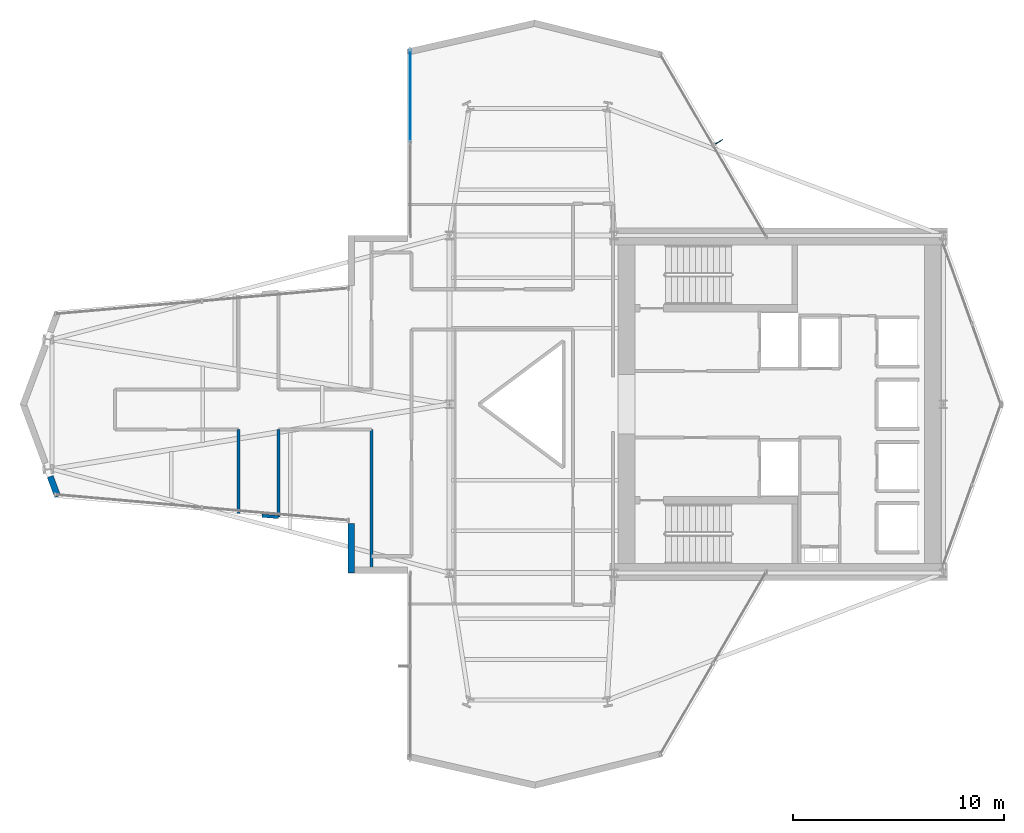
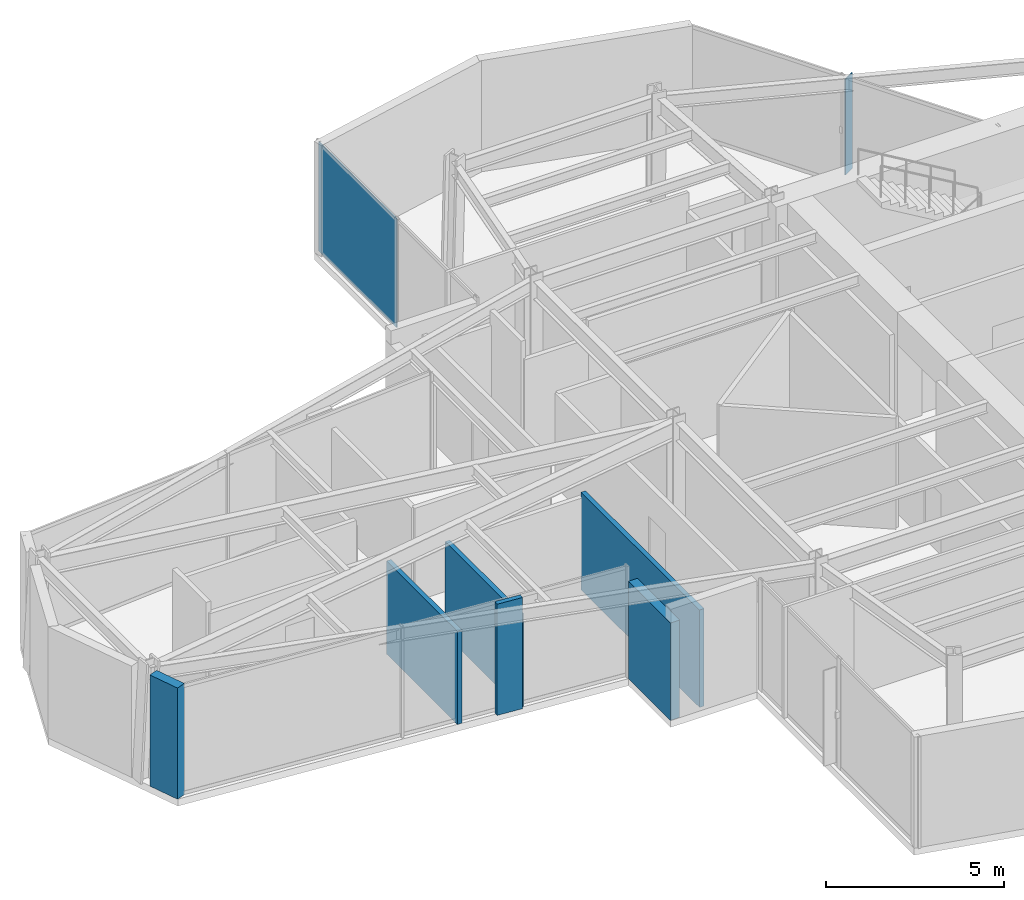
# One storey, part 21 of 25: 6 walls, 2 plates, 1 element without a shape of its own.
"""IFC4 building model written with IfcOpenShell, lengths in metres."""

from ifc_helpers import new_model, si_unit, direction, frame, frame_2d, origin, origin_2d, place, context, subcontext, project, spatial, rectangle, extrude, material, layer, layer_set, type_object, element, aggregate, save


model = new_model("IFC4")

# Units and contexts
model_context = context("Model", 3, precision=1e-05, world=origin(), true_north=direction((0.0, 1.0)))
body_context = subcontext(model_context, "Body", "Model", "MODEL_VIEW")
ifc_project = project(units=[si_unit("LENGTHUNIT", "METRE"), si_unit("AREAUNIT", "SQUARE_METRE"), si_unit("VOLUMEUNIT", "CUBIC_METRE"), si_unit("PLANEANGLEUNIT", "RADIAN"), si_unit("MASSUNIT", "GRAM", prefix="KILO")], contexts=[model_context])

# Site, building, storey
site_placement = place(None, origin())
site = spatial("IfcSite", under=ifc_project, at=site_placement, CompositionType="ELEMENT")
building_placement = place(site_placement, origin())
building = spatial("IfcBuilding", under=site, at=building_placement, Name="Veymaron Broadcast Tower", CompositionType="ELEMENT")
storey_placement = place(building_placement, frame((0.0, 0.0, 173.550048828125)))
storey = spatial("IfcBuildingStorey", under=building, at=storey_placement, Name="L40", CompositionType="ELEMENT", Elevation=173.550048828125)

# Curtain wall, plate
ifc_material_1 = material(Name="Anodised aluminium AA 6063-T6 and laminated low-E dark glass", Category="aluminium")
ifc_layer_1 = layer(ifc_material_1, 0.179931640625)
ifc_layer_set_1 = layer_set([ifc_layer_1], Name="Anodised aluminium AA 6063-T6 and laminated low-E dark glass")
curtain_wall_type = type_object("IfcCurtainWallType", Name="CW-SYS-03", PredefinedType="NOTDEFINED", material=ifc_layer_set_1)
curtain_wall_placement = place(storey_placement, origin())
curtain_wall = element("IfcCurtainWall", 1, at=curtain_wall_placement, inside=storey, type_object=curtain_wall_type, Name="L40 dark-glass curtain wall CW-L40-E8-1", PredefinedType="NOTDEFINED")
ifc_material_2 = material(Name="Insulated dark-anodised aluminium spandrel panel 40 mm", Category="aluminium")
ifc_layer_2 = layer(ifc_material_2, 0.0400390625)
ifc_layer_set_2 = layer_set([ifc_layer_2], Name="Insulated dark-anodised aluminium spandrel panel 40 mm")
plate_type_1 = type_object("IfcPlateType", Name="CW-PNL-03", PredefinedType="CURTAIN_PANEL", material=ifc_layer_set_2)
plate_1_placement = place(storey_placement, frame((29.337158203125, 38.62353515625, 0.0400390625), z_axis=(0.0, 0.0, 1.0), x_axis=(0.001448622772, -0.999998950745, 0.0)))
plate_1 = element("IfcPlate", 2, at=plate_1_placement, type_object=plate_type_1, Name="CW-L40-E8-1 unitised curtain panel 0", PredefinedType="CURTAIN_PANEL", context=body_context, shape_type="SweptSolid", body=[
    extrude(rectangle(XDim=4.35546875, YDim=0.0400390625, at=origin_2d()), origin(), (0.0, 0.0, 1.0), 3.72998046875),
])
aggregate(curtain_wall, [plate_1])

# Plate
ifc_material_3 = material(Name="Dark-anodised aluminium AA 6061-T6", Category="aluminium")
ifc_layer_3 = layer(ifc_material_3, 0.031982421875)
ifc_layer_set_3 = layer_set([ifc_layer_3], Name="Dark-anodised aluminium AA 6061-T6")
plate_type_2 = type_object("IfcPlateType", Name="FIN-CHEV-03", PredefinedType="USERDEFINED", material=ifc_layer_set_3)
plate_2_placement = place(storey_placement, frame((43.97607421875, 36.4423828125, 0.2666015625), z_axis=(0.0, 0.0, 1.0), x_axis=(0.864818615801, 0.502084416969, 0.0)))
element("IfcPlate", 3, at=plate_2_placement, inside=storey, type_object=plate_type_2, Name="CW-L40-E5-1 chevron fin 1", ObjectType="FIN", PredefinedType="USERDEFINED", context=body_context, shape_type="SweptSolid", body=[
    extrude(rectangle(XDim=0.39990234375, YDim=0.034912109375, at=origin_2d()), origin(), (0.0, 0.0, 1.0), 3.276611328125),
])

# Walls
ifc_material_4 = material(Name="Precast concrete C40/50 with mineral-wool insulation", Category="concrete")
ifc_layer_4 = layer(ifc_material_4, 0.300048828125)
ifc_layer_set_4 = layer_set([ifc_layer_4], Name="Precast concrete C40/50 with mineral-wool insulation")
wall_type_1 = type_object("IfcWallType", Name="WALL-EXT-300", PredefinedType="STANDARD", material=ifc_layer_set_4)
wall_1_placement = place(storey_placement, frame((12.278564453125, 20.577392578125, 0.0), z_axis=(0.0, 0.0, 1.0), x_axis=(0.348713979608, -0.937229193115, 0.0)))
element("IfcWall", 4, at=wall_1_placement, inside=storey, type_object=wall_type_1, Name="L40 notched corner facade pier 13-2", PredefinedType="STANDARD", context=body_context, shape_type="SweptSolid", body=[
    extrude(rectangle(XDim=1.010986328125, YDim=0.300048828125, at=frame_2d((0.50537109375, 0.0))), origin(), (0.0, 0.0, 1.0), 3.81005859375),
])
wall_2_placement = place(storey_placement, frame((26.548095703125, 18.361083984375, 0.0), z_axis=(0.0, 0.0, 1.0), x_axis=(0.0, -1.0, 0.0)))
element("IfcWall", 5, at=wall_2_placement, inside=storey, type_object=wall_type_1, Name="L40 notched corner facade pier 15-1", PredefinedType="STANDARD", context=body_context, shape_type="SweptSolid", body=[
    extrude(rectangle(XDim=2.361083984375, YDim=0.300048828125, at=frame_2d((1.1806640625, 0.0))), origin(), (0.0, 0.0, 1.0), 3.337890625),
])
ifc_material_5 = material(Name="Gypsum fireboard and steel stud framing", Category="steel")
ifc_layer_5 = layer(ifc_material_5, 0.14990234375)
ifc_layer_set_5 = layer_set([ifc_layer_5], Name="Gypsum fireboard and steel stud framing")
wall_type_2 = type_object("IfcWallType", Name="WALL-FIRE-150", PredefinedType="PARTITIONING", material=ifc_layer_set_5)
wall_3_placement = place(storey_placement, frame((27.5, 16.139892578125, 0.0), z_axis=(0.0, 0.0, 1.0), x_axis=(0.0, 1.0, 0.0)))
element("IfcWall", 6, at=wall_3_placement, inside=storey, type_object=wall_type_2, Name="L40 partition IW-L40-P06", PredefinedType="PARTITIONING", context=body_context, shape_type="SweptSolid", body=[
    extrude(rectangle(XDim=6.66015625, YDim=0.14990234375, at=frame_2d((3.330078125, 0.0))), origin(), (0.0, 0.0, 1.0), 3.337890625),
])
wall_4_placement = place(storey_placement, frame((23.10009765625, 18.651123046875, 0.0), z_axis=(0.0, 0.0, 1.0), x_axis=(0.0, 1.0, 0.0)))
element("IfcWall", 7, at=wall_4_placement, inside=storey, type_object=wall_type_2, Name="L40 partition IW-L40-P08", PredefinedType="PARTITIONING", context=body_context, shape_type="SweptSolid", body=[
    extrude(rectangle(XDim=4.14892578125, YDim=0.14990234375, at=frame_2d((2.074462890625, 0.0))), origin(), (0.0, 0.0, 1.0), 3.18994140625),
])
wall_5_placement = place(storey_placement, frame((22.314208984375, 18.72021484375, 0.0), z_axis=(0.0, 0.0, 1.0), x_axis=(0.996157691282, -0.08757770321, 0.0)))
element("IfcWall", 8, at=wall_5_placement, inside=storey, type_object=wall_type_2, Name="L40 partition IW-L40-P11", PredefinedType="PARTITIONING", context=body_context, shape_type="SweptSolid", body=[
    extrude(rectangle(XDim=0.788818359375, YDim=0.14990234375, at=frame_2d((0.39453125, 0.0))), origin(), (0.0, 0.0, 1.0), 3.81005859375),
])
wall_6_placement = place(storey_placement, frame((21.199951171875, 18.81787109375, 0.0), z_axis=(0.0, 0.0, 1.0), x_axis=(0.0, 1.0, 0.0)))
element("IfcWall", 9, at=wall_6_placement, inside=storey, type_object=wall_type_2, Name="L40 partition IW-L40-P15", PredefinedType="PARTITIONING", context=body_context, shape_type="SweptSolid", body=[
    extrude(rectangle(XDim=3.982177734375, YDim=0.14990234375, at=frame_2d((1.9912109375, 0.0))), origin(), (0.0, 0.0, 1.0), 3.18994140625),
])

save(model, "model.ifc")
